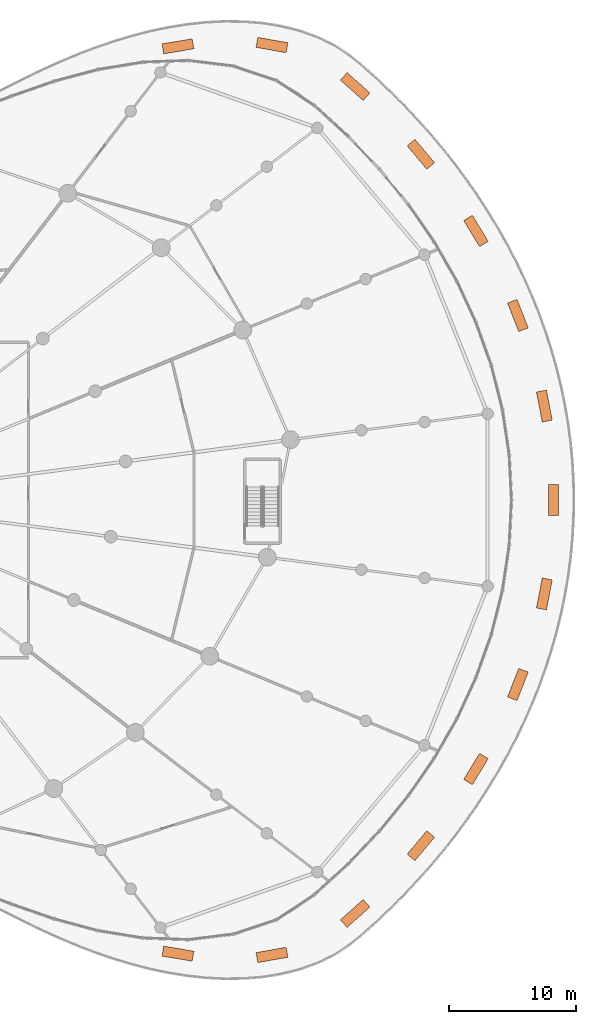
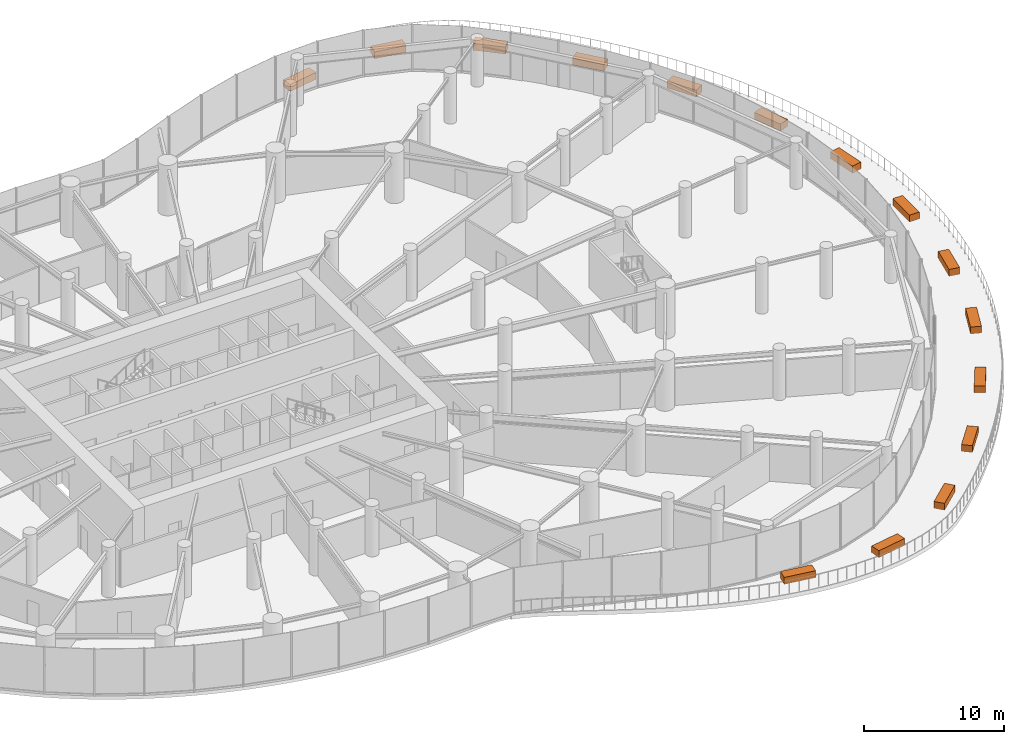
# One storey, part 24 of 24: 15 proxies.
"""IFC4 building model written with IfcOpenShell, lengths in metres."""

from ifc_helpers import new_model, si_unit, direction, frame, origin, origin_2d, place, context, subcontext, project, spatial, rectangle, extrude, source, transform, mapped, element, save


model = new_model("IFC4")

# Units and contexts
model_context = context("Model", 3, precision=1e-05, world=origin(), true_north=direction((0.0, 1.0)))
body_context = subcontext(model_context, "Body", "Model", "MODEL_VIEW")
ifc_project = project(units=[si_unit("LENGTHUNIT", "METRE"), si_unit("AREAUNIT", "SQUARE_METRE"), si_unit("VOLUMEUNIT", "CUBIC_METRE"), si_unit("PLANEANGLEUNIT", "RADIAN"), si_unit("MASSUNIT", "GRAM", prefix="KILO")], contexts=[model_context])

# Site, building, storey
site_placement = place(None, origin())
site = spatial("IfcSite", under=ifc_project, at=site_placement, CompositionType="ELEMENT")
building_placement = place(site_placement, origin())
building = spatial("IfcBuilding", under=site, at=building_placement, Name="Spindrift Exchange Tower", CompositionType="ELEMENT")
storey_placement = place(building_placement, frame((0.0, 0.0, 5.0)))
storey = spatial("IfcBuildingStorey", under=building, at=storey_placement, Name="L01", CompositionType="ELEMENT", Elevation=5.0)

# Proxies
shared_shape = source(origin(), body_context, "Body", "SweptSolid", [
    extrude(rectangle(XDim=2.39990234375, YDim=0.800048828125, at=origin_2d()), origin(), (0.0, 0.0, 1.0), 0.60009765625),
])
for number, where, z_axis, x_axis, name in (
    (1, (79.14892578125, 83.64501953125, 0.0), (0.0, 0.0, 1.0), (0.986144669356, 0.165887585732, 0.0), "L01 PLANTER 01"),
    (2, (86.536376953125, 83.743896484375, 0.0), (0.0, 0.0, 1.0), (0.984749811304, -0.173976461444, 0.0), "L01 PLANTER 02"),
    (3, (93.071044921875, 80.483154296875, 0.0), (0.0, 0.0, 1.0), (0.745544631529, -0.666455701753, 0.0), "L01 PLANTER 03"),
    (4, (98.236572265625, 75.16015625, 0.0), (0.0, 0.0, 1.0), (0.64404218869, -0.76498997326, 0.0), "L01 PLANTER 04"),
    (5, (102.562744140625, 69.13623046875, 0.0), (0.0, 0.0, 1.0), (0.517879205307, -0.855453756033, 0.0), "L01 PLANTER 05"),
    (6, (105.85791015625, 62.493896484375, 0.0), (0.0, 0.0, 1.0), (0.364987281696, -0.931012504857, 0.0), "L01 PLANTER 06"),
    (7, (107.935302734375, 55.377685546875, 0.0), (0.0, 0.0, 1.0), (0.192117758011, -0.981371880103, 0.0), "L01 PLANTER 07"),
    (8, (108.64990234375, 48.0, 0.0), (0.0, 0.0, 1.0), (0.0, -1.0, 0.0), "L01 PLANTER 08"),
    (9, (107.935302734375, 40.622314453125, 0.0), (0.0, 0.0, 1.0), (-0.192119470828, -0.981371544793, 0.0), "L01 PLANTER 09"),
    (10, (105.85791015625, 33.506103515625, 0.0), (0.0, 0.0, 1.0), (-0.364987281696, -0.931012504857, 0.0), "L01 PLANTER 10"),
    (11, (102.562744140625, 26.86376953125, 0.0), (0.0, 0.0, 1.0), (-0.517879205307, -0.855453756033, 0.0), "L01 PLANTER 11"),
    (12, (98.236572265625, 20.83984375, 0.0), (0.0, 0.0, 1.0), (-0.64404218869, -0.76498997326, 0.0), "L01 PLANTER 12"),
    (13, (93.071044921875, 15.516845703125, 0.0), (0.0, 0.0, 1.0), (-0.745544631529, -0.666455701753, 0.0), "L01 PLANTER 13"),
    (14, (86.536376953125, 12.256103515625, 0.0), (0.0, 0.0, 1.0), (-0.984750114949, -0.173974742731, 0.0), "L01 PLANTER 14"),
    (15, (79.14892578125, 12.35498046875, 0.0), (0.0, 0.0, 1.0), (-0.986144379826, 0.165889306879, 0.0), "L01 PLANTER 15"),
):
    element("IfcBuildingElementProxy", number, at=place(storey_placement, frame(where, z_axis=z_axis, x_axis=x_axis)), inside=storey, Name=name, ObjectType="PLANTER", PredefinedType="USERDEFINED", context=body_context, shape_type="MappedRepresentation", body=[
        mapped(shared_shape, transform((0.0, 0.0, 0.0), scale=1.0)),
    ])

save(model, "model.ifc")
